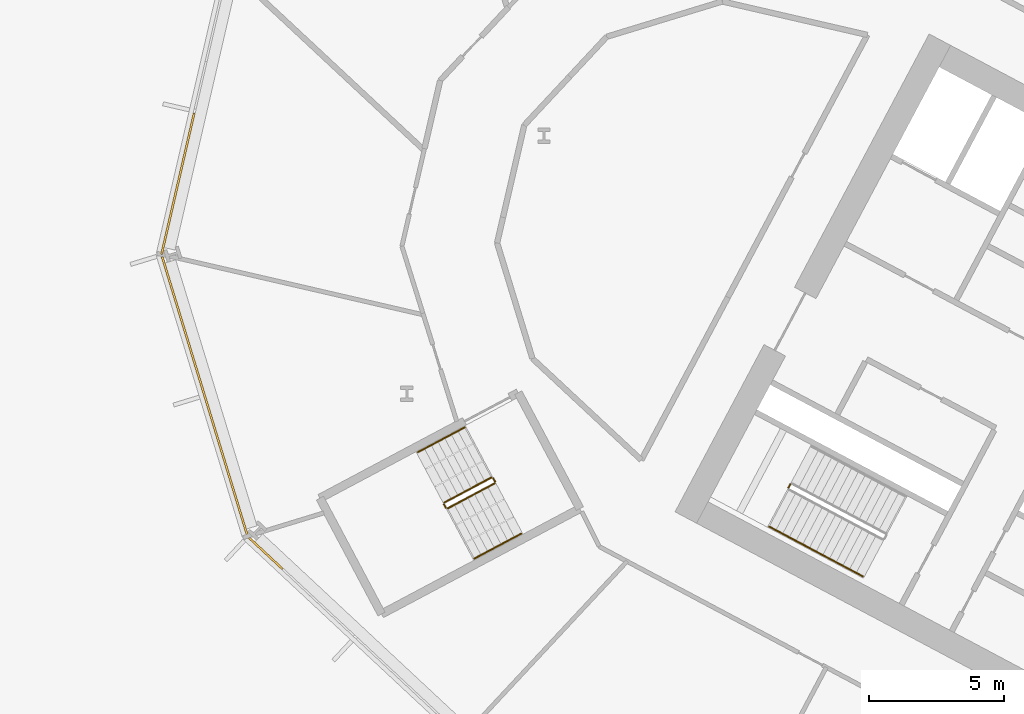
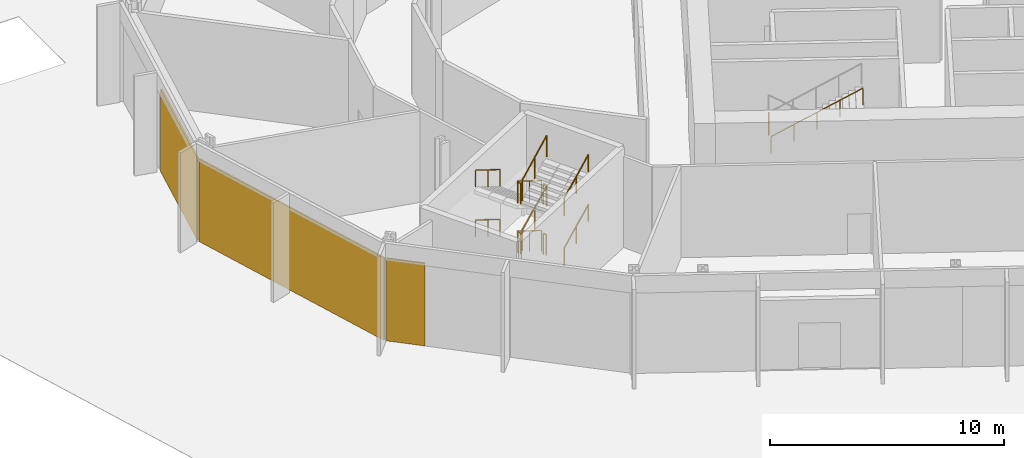
# One storey, part 21 of 30: 14 railings, 3 coverings, 3 elements without a shape of their own.
"""IFC4 building model written with IfcOpenShell, lengths in metres."""

from ifc_helpers import new_model, si_unit, direction, frame, origin, origin_2d, place, context, subcontext, project, spatial, polyline, rectangle, outline, extrude, material, layer, layer_set, type_object, element, aggregate, save


model = new_model("IFC4")

# Units and contexts
model_context = context("Model", 3, precision=1e-05, world=origin(), true_north=direction((0.0, 1.0)))
body_context = subcontext(model_context, "Body", "Model", "MODEL_VIEW")
ifc_project = project(units=[si_unit("LENGTHUNIT", "METRE"), si_unit("AREAUNIT", "SQUARE_METRE"), si_unit("VOLUMEUNIT", "CUBIC_METRE"), si_unit("PLANEANGLEUNIT", "RADIAN"), si_unit("MASSUNIT", "GRAM", prefix="KILO")], contexts=[model_context])

# Site, building, storey
site_placement = place(None, origin())
site = spatial("IfcSite", under=ifc_project, at=site_placement, CompositionType="ELEMENT")
building_placement = place(site_placement, origin())
building = spatial("IfcBuilding", under=site, at=building_placement, Name="Cormorant Relay Tower", CompositionType="ELEMENT")
storey_placement = place(building_placement, frame((0.0, 0.0, 7.0)))
storey = spatial("IfcBuildingStorey", under=building, at=storey_placement, Name="L01", CompositionType="ELEMENT", Elevation=7.0)

# Curtain wall, covering
ifc_material_1 = material(Name="Aluminium 6063-T6 anodised bronze", Category="aluminium")
ifc_layer_1 = layer(ifc_material_1, 0.235107421875)
ifc_layer_set_1 = layer_set([ifc_layer_1], Name="CW6 data hall curtain wall with mineral wool panels")
curtain_wall_type = type_object("IfcCurtainWallType", Name="CW6 data hall curtain wall with mineral wool panels", PredefinedType="NOTDEFINED", material=ifc_layer_set_1)
curtain_wall_1_placement = place(storey_placement, origin())
curtain_wall_1 = element("IfcCurtainWall", 1, at=curtain_wall_1_placement, inside=storey, type_object=curtain_wall_type, Name="CW6 curtain wall 11", PredefinedType="NOTDEFINED")
ifc_material_2 = material(Name="Mineral wool cored anodised bronze aluminium cassette panel", Category="aluminium")
ifc_layer_2 = layer(ifc_material_2, 0.074951171875)
ifc_layer_set_2 = layer_set([ifc_layer_2], Name="CW6 mineral wool cassette panel 75")
covering_type = type_object("IfcCoveringType", Name="CW6 mineral wool cassette panel 75", PredefinedType="CLADDING", material=ifc_layer_set_2)
covering_1_placement = place(storey_placement, frame((-60.153564453125, 23.01318359375, 0.0), z_axis=(0.0, 0.0, 1.0), x_axis=(-0.224951054344, -0.974370064785, 0.0)))
covering_1 = element("IfcCovering", 2, at=covering_1_placement, type_object=covering_type, Name="CW6 panel S02", PredefinedType="CLADDING", context=body_context, shape_type="SweptSolid", body=[
    extrude(rectangle(XDim=5.360107421875, YDim=0.074951171875, at=origin_2d()), origin(), (0.0, 0.0, 1.0), 4.300048828125),
])
aggregate(curtain_wall_1, [covering_1])

curtain_wall_2_placement = place(storey_placement, origin())
curtain_wall_2 = element("IfcCurtainWall", 3, at=curtain_wall_2_placement, inside=storey, type_object=curtain_wall_type, Name="CW6 curtain wall 12", PredefinedType="NOTDEFINED")
covering_2_placement = place(storey_placement, frame((-59.155517578125, 15.148681640625, 0.0), z_axis=(0.0, 0.0, 1.0), x_axis=(0.292371704723, -0.956304755963, 0.0)))
covering_2 = element("IfcCovering", 4, at=covering_2_placement, type_object=covering_type, Name="CW6 panel S00", PredefinedType="CLADDING", context=body_context, shape_type="SweptSolid", body=[
    extrude(rectangle(XDim=10.79541015625, YDim=0.074951171875, at=origin_2d()), origin(), (0.0, 0.0, 1.0), 4.300048828125),
])
aggregate(curtain_wall_2, [covering_2])

curtain_wall_3_placement = place(storey_placement, origin())
curtain_wall_3 = element("IfcCurtainWall", 5, at=curtain_wall_3_placement, inside=storey, type_object=curtain_wall_type, Name="CW6 curtain wall 13", PredefinedType="NOTDEFINED")
covering_3_placement = place(storey_placement, frame((-56.89599609375, 9.3447265625, 0.0), z_axis=(0.0, 0.0, 1.0), x_axis=(0.731353701619, -0.681998360062, 0.0)))
covering_3 = element("IfcCovering", 6, at=covering_3_placement, type_object=covering_type, Name="CW6 panel S00", PredefinedType="CLADDING", context=body_context, shape_type="SweptSolid", body=[
    extrude(rectangle(XDim=1.685302734375, YDim=0.074951171875, at=origin_2d()), origin(), (0.0, 0.0, 1.0), 4.300048828125),
])
aggregate(curtain_wall_3, [covering_3])

# Railings
ifc_material_3 = material(Name="Steel ASTM A572 Grade 50 (Fy 345 MPa)", Category="steel")
railing_type_1 = type_object("IfcRailingType", Name="Stair guard 1100", PredefinedType="GUARDRAIL", material=ifc_material_3)
railing_1_placement = place(storey_placement, frame((-37.52099609375, 11.908935546875, 2.60009765625)))
element("IfcRailing", 7, at=railing_1_placement, inside=storey, type_object=railing_type_1, Name="L01 A2 stair guard 2", PredefinedType="GUARDRAIL", context=body_context, shape_type="SweptSolid", body=[
    extrude(outline(polyline([(0.022216796875, 0.00927734375), (0.00927734375, 0.022216796875), (-0.00927734375, 0.022216796875), (-0.022216796875, 0.00927734375), (-0.022216796875, -0.00927734375), (-0.00927734375, -0.022216796875), (0.00927734375, -0.022216796875), (0.022216796875, -0.00927734375), (0.022216796875, 0.00927734375)])), frame((0.0, 0.0, 1.076171875), z_axis=(-0.469234640946, -0.883073525669, 0.0), x_axis=(0.883073525669, -0.469234640946, 0.0)), (0.0, 0.0, 1.0), 0.14990234375),
    extrude(outline(polyline([(0.019287109375, 0.008056640625), (0.008056640625, 0.019287109375), (-0.008056640625, 0.019287109375), (-0.019287109375, 0.008056640625), (-0.019287109375, -0.008056640625), (-0.008056640625, -0.019287109375), (0.008056640625, -0.019287109375), (0.019287109375, -0.008056640625), (0.019287109375, 0.008056640625)])), origin(), (0.0, 0.0, 1.0), 1.052001953125),
    extrude(outline(polyline([(0.019287109375, 0.008056640625), (0.008056640625, 0.019287109375), (-0.008056640625, 0.019287109375), (-0.019287109375, 0.008056640625), (-0.019287109375, -0.008056640625), (-0.008056640625, -0.019287109375), (0.008056640625, -0.019287109375), (0.019287109375, -0.008056640625), (0.019287109375, 0.008056640625)])), frame((-0.0703125, -0.13232421875, 0.0)), (0.0, 0.0, 1.0), 1.052001953125),
])
railing_2_placement = place(storey_placement, frame((-48.5693359375, 12.155517578125, 0.16259765625)))
element("IfcRailing", 8, at=railing_2_placement, inside=storey, type_object=railing_type_1, Name="L01 RP1 stair guard 1", PredefinedType="GUARDRAIL", context=body_context, shape_type="SweptSolid", body=[
    extrude(outline(polyline([(0.022216796875, 0.00927734375), (0.00927734375, 0.022216796875), (-0.00927734375, 0.022216796875), (-0.022216796875, 0.00927734375), (-0.022216796875, -0.00927734375), (-0.00927734375, -0.022216796875), (0.00927734375, -0.022216796875), (0.022216796875, -0.00927734375), (0.022216796875, 0.00927734375)])), frame((0.0, 0.0, 1.076171875), z_axis=(-0.763691771648, -0.40603107453, 0.501909996348), x_axis=(0.469443581604, -0.882962470149, 0.0)), (0.0, 0.0, 1.0), 2.266357421875),
    extrude(outline(polyline([(0.019287109375, 0.008056640625), (0.008056640625, 0.019287109375), (-0.008056640625, 0.019287109375), (-0.019287109375, 0.008056640625), (-0.019287109375, -0.008056640625), (-0.008056640625, -0.019287109375), (0.008056640625, -0.019287109375), (0.019287109375, -0.008056640625), (0.019287109375, 0.008056640625)])), origin(), (0.0, 0.0, 1.0), 1.052001953125),
    extrude(outline(polyline([(0.019287109375, 0.008056640625), (0.008056640625, 0.019287109375), (-0.008056640625, 0.019287109375), (-0.019287109375, 0.008056640625), (-0.019287109375, -0.008056640625), (-0.008056640625, -0.019287109375), (0.008056640625, -0.019287109375), (0.019287109375, -0.008056640625), (0.019287109375, 0.008056640625)])), frame((-0.865234375, -0.4599609375, 0.56884765625)), (0.0, 0.0, 1.0), 1.052001953125),
    extrude(outline(polyline([(0.019287109375, 0.008056640625), (0.008056640625, 0.019287109375), (-0.008056640625, 0.019287109375), (-0.019287109375, 0.008056640625), (-0.019287109375, -0.008056640625), (-0.008056640625, -0.019287109375), (0.008056640625, -0.019287109375), (0.019287109375, -0.008056640625), (0.019287109375, 0.008056640625)])), frame((-1.730712890625, -0.920166015625, 1.137451171875)), (0.0, 0.0, 1.0), 1.052001953125),
])
railing_3_placement = place(storey_placement, frame((-50.320556640625, 11.167724609375, 1.300048828125)))
element("IfcRailing", 9, at=railing_3_placement, inside=storey, type_object=railing_type_1, Name="L01 RP1 stair guard 2", PredefinedType="GUARDRAIL", context=body_context, shape_type="SweptSolid", body=[
    extrude(outline(polyline([(0.022216796875, 0.00927734375), (0.00927734375, 0.022216796875), (-0.00927734375, 0.022216796875), (-0.022216796875, 0.00927734375), (-0.022216796875, -0.00927734375), (-0.00927734375, -0.022216796875), (0.00927734375, -0.022216796875), (0.022216796875, -0.00927734375), (0.022216796875, 0.00927734375)])), frame((0.0, 0.0, 1.076171875), z_axis=(0.46856034887, -0.8834314911, 0.0), x_axis=(0.8834314911, 0.46856034887, 0.0)), (0.0, 0.0, 1.0), 0.150146484375),
    extrude(outline(polyline([(0.019287109375, 0.008056640625), (0.008056640625, 0.019287109375), (-0.008056640625, 0.019287109375), (-0.019287109375, 0.008056640625), (-0.019287109375, -0.008056640625), (-0.008056640625, -0.019287109375), (0.008056640625, -0.019287109375), (0.019287109375, -0.008056640625), (0.019287109375, 0.008056640625)])), origin(), (0.0, 0.0, 1.0), 1.052001953125),
    extrude(outline(polyline([(0.019287109375, 0.008056640625), (0.008056640625, 0.019287109375), (-0.008056640625, 0.019287109375), (-0.019287109375, 0.008056640625), (-0.019287109375, -0.008056640625), (-0.008056640625, -0.019287109375), (0.008056640625, -0.019287109375), (0.019287109375, -0.008056640625), (0.019287109375, 0.008056640625)])), frame((0.0703125, -0.132568359375, 0.0)), (0.0, 0.0, 1.0), 1.052001953125),
])
railing_4_placement = place(storey_placement, frame((-50.1826171875, 11.014404296875, 1.46240234375)))
element("IfcRailing", 10, at=railing_4_placement, inside=storey, type_object=railing_type_1, Name="L01 RP1 stair guard 3", PredefinedType="GUARDRAIL", context=body_context, shape_type="SweptSolid", body=[
    extrude(outline(polyline([(0.022216796875, 0.00927734375), (0.00927734375, 0.022216796875), (-0.00927734375, 0.022216796875), (-0.022216796875, 0.00927734375), (-0.022216796875, -0.00927734375), (-0.00927734375, -0.022216796875), (0.00927734375, -0.022216796875), (0.022216796875, -0.00927734375), (0.022216796875, 0.00927734375)])), frame((0.0, 0.0, 1.076171875), z_axis=(0.763650477504, 0.406009119722, 0.5019905805), x_axis=(-0.469443581604, 0.882962470149, 0.0)), (0.0, 0.0, 1.0), 2.266357421875),
    extrude(outline(polyline([(0.019287109375, 0.008056640625), (0.008056640625, 0.019287109375), (-0.008056640625, 0.019287109375), (-0.019287109375, 0.008056640625), (-0.019287109375, -0.008056640625), (-0.008056640625, -0.019287109375), (0.008056640625, -0.019287109375), (0.019287109375, -0.008056640625), (0.019287109375, 0.008056640625)])), origin(), (0.0, 0.0, 1.0), 1.052001953125),
    extrude(outline(polyline([(0.019287109375, 0.008056640625), (0.008056640625, 0.019287109375), (-0.008056640625, 0.019287109375), (-0.019287109375, 0.008056640625), (-0.019287109375, -0.008056640625), (-0.008056640625, -0.019287109375), (0.008056640625, -0.019287109375), (0.019287109375, -0.008056640625), (0.019287109375, 0.008056640625)])), frame((0.865234375, 0.4599609375, 0.56884765625)), (0.0, 0.0, 1.0), 1.052001953125),
    extrude(outline(polyline([(0.019287109375, 0.008056640625), (0.008056640625, 0.019287109375), (-0.008056640625, 0.019287109375), (-0.019287109375, 0.008056640625), (-0.019287109375, -0.008056640625), (-0.008056640625, -0.019287109375), (0.008056640625, -0.019287109375), (0.019287109375, -0.008056640625), (0.019287109375, 0.008056640625)])), frame((1.730712890625, 0.920166015625, 1.1376953125)), (0.0, 0.0, 1.0), 1.052001953125),
])
railing_5_placement = place(storey_placement, frame((-48.501708984375, 12.134765625, 2.60009765625)))
element("IfcRailing", 11, at=railing_5_placement, inside=storey, type_object=railing_type_1, Name="L01 RP1 stair guard 4", PredefinedType="GUARDRAIL", context=body_context, shape_type="SweptSolid", body=[
    extrude(outline(polyline([(0.022216796875, 0.00927734375), (0.00927734375, 0.022216796875), (-0.00927734375, 0.022216796875), (-0.022216796875, 0.00927734375), (-0.022216796875, -0.00927734375), (-0.00927734375, -0.022216796875), (0.00927734375, -0.022216796875), (0.022216796875, -0.00927734375), (0.022216796875, 0.00927734375)])), frame((0.0, 0.0, 1.076171875), z_axis=(0.46856034887, -0.8834314911, 0.0), x_axis=(0.8834314911, 0.46856034887, 0.0)), (0.0, 0.0, 1.0), 0.150146484375),
    extrude(outline(polyline([(0.019287109375, 0.008056640625), (0.008056640625, 0.019287109375), (-0.008056640625, 0.019287109375), (-0.019287109375, 0.008056640625), (-0.019287109375, -0.008056640625), (-0.008056640625, -0.019287109375), (0.008056640625, -0.019287109375), (0.019287109375, -0.008056640625), (0.019287109375, 0.008056640625)])), origin(), (0.0, 0.0, 1.0), 1.052001953125),
    extrude(outline(polyline([(0.019287109375, 0.008056640625), (0.008056640625, 0.019287109375), (-0.008056640625, 0.019287109375), (-0.019287109375, 0.008056640625), (-0.019287109375, -0.008056640625), (-0.008056640625, -0.019287109375), (0.008056640625, -0.019287109375), (0.019287109375, -0.008056640625), (0.019287109375, 0.008056640625)])), frame((0.0703125, -0.132568359375, 0.0)), (0.0, 0.0, 1.0), 1.052001953125),
])
railing_6_placement = place(storey_placement, frame((-48.5693359375, 12.155517578125, 2.762451171875)))
element("IfcRailing", 12, at=railing_6_placement, inside=storey, type_object=railing_type_1, Name="L01 RP1 stair guard 5", PredefinedType="GUARDRAIL", context=body_context, shape_type="SweptSolid", body=[
    extrude(outline(polyline([(0.022216796875, 0.00927734375), (0.00927734375, 0.022216796875), (-0.00927734375, 0.022216796875), (-0.022216796875, 0.00927734375), (-0.022216796875, -0.00927734375), (-0.00927734375, -0.022216796875), (0.00927734375, -0.022216796875), (0.022216796875, -0.00927734375), (0.022216796875, 0.00927734375)])), frame((0.0, 0.0, 1.076171875), z_axis=(-0.763691771648, -0.40603107453, 0.501909996348), x_axis=(0.469443581604, -0.882962470149, 0.0)), (0.0, 0.0, 1.0), 2.266357421875),
    extrude(outline(polyline([(0.019287109375, 0.008056640625), (0.008056640625, 0.019287109375), (-0.008056640625, 0.019287109375), (-0.019287109375, 0.008056640625), (-0.019287109375, -0.008056640625), (-0.008056640625, -0.019287109375), (0.008056640625, -0.019287109375), (0.019287109375, -0.008056640625), (0.019287109375, 0.008056640625)])), origin(), (0.0, 0.0, 1.0), 1.052001953125),
    extrude(outline(polyline([(0.019287109375, 0.008056640625), (0.008056640625, 0.019287109375), (-0.008056640625, 0.019287109375), (-0.019287109375, 0.008056640625), (-0.019287109375, -0.008056640625), (-0.008056640625, -0.019287109375), (0.008056640625, -0.019287109375), (0.019287109375, -0.008056640625), (0.019287109375, 0.008056640625)])), frame((-0.865234375, -0.4599609375, 0.56884765625)), (0.0, 0.0, 1.0), 1.052001953125),
    extrude(outline(polyline([(0.019287109375, 0.008056640625), (0.008056640625, 0.019287109375), (-0.008056640625, 0.019287109375), (-0.019287109375, 0.008056640625), (-0.019287109375, -0.008056640625), (-0.008056640625, -0.019287109375), (0.008056640625, -0.019287109375), (0.019287109375, -0.008056640625), (0.019287109375, 0.008056640625)])), frame((-1.730712890625, -0.920166015625, 1.137451171875)), (0.0, 0.0, 1.0), 1.052001953125),
])
railing_7_placement = place(storey_placement, frame((-50.320556640625, 11.167724609375, 3.89990234375)))
element("IfcRailing", 13, at=railing_7_placement, inside=storey, type_object=railing_type_1, Name="L01 RP1 stair guard 6", PredefinedType="GUARDRAIL", context=body_context, shape_type="SweptSolid", body=[
    extrude(outline(polyline([(0.022216796875, 0.00927734375), (0.00927734375, 0.022216796875), (-0.00927734375, 0.022216796875), (-0.022216796875, 0.00927734375), (-0.022216796875, -0.00927734375), (-0.00927734375, -0.022216796875), (0.00927734375, -0.022216796875), (0.022216796875, -0.00927734375), (0.022216796875, 0.00927734375)])), frame((0.0, 0.0, 1.076171875), z_axis=(0.46856034887, -0.8834314911, 0.0), x_axis=(0.8834314911, 0.46856034887, 0.0)), (0.0, 0.0, 1.0), 0.150146484375),
    extrude(outline(polyline([(0.019287109375, 0.008056640625), (0.008056640625, 0.019287109375), (-0.008056640625, 0.019287109375), (-0.019287109375, 0.008056640625), (-0.019287109375, -0.008056640625), (-0.008056640625, -0.019287109375), (0.008056640625, -0.019287109375), (0.019287109375, -0.008056640625), (0.019287109375, 0.008056640625)])), origin(), (0.0, 0.0, 1.0), 1.052001953125),
    extrude(outline(polyline([(0.019287109375, 0.008056640625), (0.008056640625, 0.019287109375), (-0.008056640625, 0.019287109375), (-0.019287109375, 0.008056640625), (-0.019287109375, -0.008056640625), (-0.008056640625, -0.019287109375), (0.008056640625, -0.019287109375), (0.019287109375, -0.008056640625), (0.019287109375, 0.008056640625)])), frame((0.0703125, -0.132568359375, 0.0)), (0.0, 0.0, 1.0), 1.052001953125),
])
railing_8_placement = place(storey_placement, frame((-50.1826171875, 11.014404296875, 4.0625)))
element("IfcRailing", 14, at=railing_8_placement, inside=storey, type_object=railing_type_1, Name="L01 RP1 stair guard 7", PredefinedType="GUARDRAIL", context=body_context, shape_type="SweptSolid", body=[
    extrude(outline(polyline([(0.022216796875, 0.00927734375), (0.00927734375, 0.022216796875), (-0.00927734375, 0.022216796875), (-0.022216796875, 0.00927734375), (-0.022216796875, -0.00927734375), (-0.00927734375, -0.022216796875), (0.00927734375, -0.022216796875), (0.022216796875, -0.00927734375), (0.022216796875, 0.00927734375)])), frame((0.0, 0.0, 1.076171875), z_axis=(0.763691771648, 0.40603107453, 0.501909996348), x_axis=(-0.469443581604, 0.882962470149, 0.0)), (0.0, 0.0, 1.0), 2.266357421875),
    extrude(outline(polyline([(0.019287109375, 0.008056640625), (0.008056640625, 0.019287109375), (-0.008056640625, 0.019287109375), (-0.019287109375, 0.008056640625), (-0.019287109375, -0.008056640625), (-0.008056640625, -0.019287109375), (0.008056640625, -0.019287109375), (0.019287109375, -0.008056640625), (0.019287109375, 0.008056640625)])), origin(), (0.0, 0.0, 1.0), 1.052001953125),
    extrude(outline(polyline([(0.019287109375, 0.008056640625), (0.008056640625, 0.019287109375), (-0.008056640625, 0.019287109375), (-0.019287109375, 0.008056640625), (-0.019287109375, -0.008056640625), (-0.008056640625, -0.019287109375), (0.008056640625, -0.019287109375), (0.019287109375, -0.008056640625), (0.019287109375, 0.008056640625)])), frame((0.865234375, 0.4599609375, 0.56884765625)), (0.0, 0.0, 1.0), 1.052001953125),
    extrude(outline(polyline([(0.019287109375, 0.008056640625), (0.008056640625, 0.019287109375), (-0.008056640625, 0.019287109375), (-0.019287109375, 0.008056640625), (-0.019287109375, -0.008056640625), (-0.008056640625, -0.019287109375), (0.008056640625, -0.019287109375), (0.019287109375, -0.008056640625), (0.019287109375, 0.008056640625)])), frame((1.730712890625, 0.920166015625, 1.137451171875)), (0.0, 0.0, 1.0), 1.052001953125),
])
railing_9_placement = place(storey_placement, frame((-48.501708984375, 12.134765625, 0.0)))
element("IfcRailing", 15, at=railing_9_placement, inside=storey, type_object=railing_type_1, Name="L01 RP1 stair guard 8", PredefinedType="GUARDRAIL", context=body_context, shape_type="SweptSolid", body=[
    extrude(outline(polyline([(0.022216796875, 0.00927734375), (0.00927734375, 0.022216796875), (-0.00927734375, 0.022216796875), (-0.022216796875, 0.00927734375), (-0.022216796875, -0.00927734375), (-0.00927734375, -0.022216796875), (0.00927734375, -0.022216796875), (0.022216796875, -0.00927734375), (0.022216796875, 0.00927734375)])), frame((0.0, 0.0, 1.076171875), z_axis=(0.46856034887, -0.8834314911, 0.0), x_axis=(0.8834314911, 0.46856034887, 0.0)), (0.0, 0.0, 1.0), 0.150146484375),
    extrude(outline(polyline([(0.019287109375, 0.008056640625), (0.008056640625, 0.019287109375), (-0.008056640625, 0.019287109375), (-0.019287109375, 0.008056640625), (-0.019287109375, -0.008056640625), (-0.008056640625, -0.019287109375), (0.008056640625, -0.019287109375), (0.019287109375, -0.008056640625), (0.019287109375, 0.008056640625)])), origin(), (0.0, 0.0, 1.0), 1.052001953125),
    extrude(outline(polyline([(0.019287109375, 0.008056640625), (0.008056640625, 0.019287109375), (-0.008056640625, 0.019287109375), (-0.019287109375, 0.008056640625), (-0.019287109375, -0.008056640625), (-0.008056640625, -0.019287109375), (0.008056640625, -0.019287109375), (0.019287109375, -0.008056640625), (0.019287109375, 0.008056640625)])), frame((0.0703125, -0.132568359375, 0.0)), (0.0, 0.0, 1.0), 1.052001953125),
])
ifc_material_4 = material(Name="Steel ASTM A572 Grade 50 (Fy 345 MPa)", Category="steel")
railing_type_2 = type_object("IfcRailingType", Name="Stair handrail 900", PredefinedType="HANDRAIL", material=ifc_material_4)
railing_10_placement = place(storey_placement, frame((-38.29833984375, 10.34033203125, 2.7734375)))
element("IfcRailing", 16, at=railing_10_placement, inside=storey, type_object=railing_type_2, Name="L01 A2 stair handrail 2", PredefinedType="HANDRAIL", context=body_context, shape_type="SweptSolid", body=[
    extrude(outline(polyline([(0.022216796875, 0.00927734375), (0.00927734375, 0.022216796875), (-0.00927734375, 0.022216796875), (-0.022216796875, 0.00927734375), (-0.022216796875, -0.00927734375), (-0.00927734375, -0.022216796875), (0.00927734375, -0.022216796875), (0.022216796875, -0.00927734375), (0.022216796875, 0.00927734375)])), frame((0.0, 0.0, 0.8759765625), z_axis=(0.75075501281, -0.399181158677, 0.526328142225), x_axis=(0.469469396681, 0.882948744594, 0.0)), (0.0, 0.0, 1.0), 4.6103515625),
    extrude(outline(polyline([(0.019287109375, 0.008056640625), (0.008056640625, 0.019287109375), (-0.008056640625, 0.019287109375), (-0.019287109375, 0.008056640625), (-0.019287109375, -0.008056640625), (-0.008056640625, -0.019287109375), (0.008056640625, -0.019287109375), (0.019287109375, -0.008056640625), (0.019287109375, 0.008056640625)])), origin(), (0.0, 0.0, 1.0), 0.851806640625),
    extrude(outline(polyline([(0.019287109375, 0.008056640625), (0.008056640625, 0.019287109375), (-0.008056640625, 0.019287109375), (-0.019287109375, 0.008056640625), (-0.019287109375, -0.008056640625), (-0.008056640625, -0.019287109375), (0.008056640625, -0.019287109375), (0.019287109375, -0.008056640625), (0.019287109375, 0.008056640625)])), frame((0.865234375, -0.4599609375, 0.606689453125)), (0.0, 0.0, 1.0), 0.851806640625),
    extrude(outline(polyline([(0.019287109375, 0.008056640625), (0.008056640625, 0.019287109375), (-0.008056640625, 0.019287109375), (-0.019287109375, 0.008056640625), (-0.019287109375, -0.008056640625), (-0.008056640625, -0.019287109375), (0.008056640625, -0.019287109375), (0.019287109375, -0.008056640625), (0.019287109375, 0.008056640625)])), frame((1.73046875, -0.920166015625, 1.21337890625)), (0.0, 0.0, 1.0), 0.851806640625),
    extrude(outline(polyline([(0.019287109375, 0.008056640625), (0.008056640625, 0.019287109375), (-0.008056640625, 0.019287109375), (-0.019287109375, 0.008056640625), (-0.019287109375, -0.008056640625), (-0.008056640625, -0.019287109375), (0.008056640625, -0.019287109375), (0.019287109375, -0.008056640625), (0.019287109375, 0.008056640625)])), frame((2.595947265625, -1.38037109375, 1.81982421875)), (0.0, 0.0, 1.0), 0.851806640625),
    extrude(outline(polyline([(0.019287109375, 0.008056640625), (0.008056640625, 0.019287109375), (-0.008056640625, 0.019287109375), (-0.019287109375, 0.008056640625), (-0.019287109375, -0.008056640625), (-0.008056640625, -0.019287109375), (0.008056640625, -0.019287109375), (0.019287109375, -0.008056640625), (0.019287109375, 0.008056640625)])), frame((3.461181640625, -1.84033203125, 2.426513671875)), (0.0, 0.0, 1.0), 0.851806640625),
])
railing_11_placement = place(storey_placement, frame((-49.55517578125, 14.009521484375, 0.16259765625)))
element("IfcRailing", 17, at=railing_11_placement, inside=storey, type_object=railing_type_2, Name="L01 RP1 stair handrail 1", PredefinedType="HANDRAIL", context=body_context, shape_type="SweptSolid", body=[
    extrude(outline(polyline([(0.022216796875, 0.00927734375), (0.00927734375, 0.022216796875), (-0.00927734375, 0.022216796875), (-0.022216796875, 0.00927734375), (-0.022216796875, -0.00927734375), (-0.00927734375, -0.022216796875), (0.00927734375, -0.022216796875), (0.022216796875, -0.00927734375), (0.022216796875, 0.00927734375)])), frame((0.0, 0.0, 0.8759765625), z_axis=(-0.763691771648, -0.40603107453, 0.501909996348), x_axis=(0.469443581604, -0.882962470149, 0.0)), (0.0, 0.0, 1.0), 2.266357421875),
    extrude(outline(polyline([(0.019287109375, 0.008056640625), (0.008056640625, 0.019287109375), (-0.008056640625, 0.019287109375), (-0.019287109375, 0.008056640625), (-0.019287109375, -0.008056640625), (-0.008056640625, -0.019287109375), (0.008056640625, -0.019287109375), (0.019287109375, -0.008056640625), (0.019287109375, 0.008056640625)])), origin(), (0.0, 0.0, 1.0), 0.851806640625),
    extrude(outline(polyline([(0.019287109375, 0.008056640625), (0.008056640625, 0.019287109375), (-0.008056640625, 0.019287109375), (-0.019287109375, 0.008056640625), (-0.019287109375, -0.008056640625), (-0.008056640625, -0.019287109375), (0.008056640625, -0.019287109375), (0.019287109375, -0.008056640625), (0.019287109375, 0.008056640625)])), frame((-0.865234375, -0.4599609375, 0.56884765625)), (0.0, 0.0, 1.0), 0.851806640625),
    extrude(outline(polyline([(0.019287109375, 0.008056640625), (0.008056640625, 0.019287109375), (-0.008056640625, 0.019287109375), (-0.019287109375, 0.008056640625), (-0.019287109375, -0.008056640625), (-0.008056640625, -0.019287109375), (0.008056640625, -0.019287109375), (0.019287109375, -0.008056640625), (0.019287109375, 0.008056640625)])), frame((-1.730712890625, -0.920166015625, 1.137451171875)), (0.0, 0.0, 1.0), 0.851806640625),
])
railing_12_placement = place(storey_placement, frame((-49.19677734375, 9.160400390625, 1.46240234375)))
element("IfcRailing", 18, at=railing_12_placement, inside=storey, type_object=railing_type_2, Name="L01 RP1 stair handrail 2", PredefinedType="HANDRAIL", context=body_context, shape_type="SweptSolid", body=[
    extrude(outline(polyline([(0.022216796875, 0.00927734375), (0.00927734375, 0.022216796875), (-0.00927734375, 0.022216796875), (-0.022216796875, 0.00927734375), (-0.022216796875, -0.00927734375), (-0.00927734375, -0.022216796875), (0.00927734375, -0.022216796875), (0.022216796875, -0.00927734375), (0.022216796875, 0.00927734375)])), frame((0.0, 0.0, 0.8759765625), z_axis=(0.763650477504, 0.406009119722, 0.5019905805), x_axis=(-0.469443581604, 0.882962470149, 0.0)), (0.0, 0.0, 1.0), 2.266357421875),
    extrude(outline(polyline([(0.019287109375, 0.008056640625), (0.008056640625, 0.019287109375), (-0.008056640625, 0.019287109375), (-0.019287109375, 0.008056640625), (-0.019287109375, -0.008056640625), (-0.008056640625, -0.019287109375), (0.008056640625, -0.019287109375), (0.019287109375, -0.008056640625), (0.019287109375, 0.008056640625)])), origin(), (0.0, 0.0, 1.0), 0.851806640625),
    extrude(outline(polyline([(0.019287109375, 0.008056640625), (0.008056640625, 0.019287109375), (-0.008056640625, 0.019287109375), (-0.019287109375, 0.008056640625), (-0.019287109375, -0.008056640625), (-0.008056640625, -0.019287109375), (0.008056640625, -0.019287109375), (0.019287109375, -0.008056640625), (0.019287109375, 0.008056640625)])), frame((0.865234375, 0.4599609375, 0.56884765625)), (0.0, 0.0, 1.0), 0.851806640625),
    extrude(outline(polyline([(0.019287109375, 0.008056640625), (0.008056640625, 0.019287109375), (-0.008056640625, 0.019287109375), (-0.019287109375, 0.008056640625), (-0.019287109375, -0.008056640625), (-0.008056640625, -0.019287109375), (0.008056640625, -0.019287109375), (0.019287109375, -0.008056640625), (0.019287109375, 0.008056640625)])), frame((1.730712890625, 0.920166015625, 1.1376953125)), (0.0, 0.0, 1.0), 0.851806640625),
])
railing_13_placement = place(storey_placement, frame((-49.55517578125, 14.009521484375, 2.762451171875)))
element("IfcRailing", 19, at=railing_13_placement, inside=storey, type_object=railing_type_2, Name="L01 RP1 stair handrail 3", PredefinedType="HANDRAIL", context=body_context, shape_type="SweptSolid", body=[
    extrude(outline(polyline([(0.022216796875, 0.00927734375), (0.00927734375, 0.022216796875), (-0.00927734375, 0.022216796875), (-0.022216796875, 0.00927734375), (-0.022216796875, -0.00927734375), (-0.00927734375, -0.022216796875), (0.00927734375, -0.022216796875), (0.022216796875, -0.00927734375), (0.022216796875, 0.00927734375)])), frame((0.0, 0.0, 0.8759765625), z_axis=(-0.763691771648, -0.40603107453, 0.501909996348), x_axis=(0.469443581604, -0.882962470149, 0.0)), (0.0, 0.0, 1.0), 2.266357421875),
    extrude(outline(polyline([(0.019287109375, 0.008056640625), (0.008056640625, 0.019287109375), (-0.008056640625, 0.019287109375), (-0.019287109375, 0.008056640625), (-0.019287109375, -0.008056640625), (-0.008056640625, -0.019287109375), (0.008056640625, -0.019287109375), (0.019287109375, -0.008056640625), (0.019287109375, 0.008056640625)])), origin(), (0.0, 0.0, 1.0), 0.851806640625),
    extrude(outline(polyline([(0.019287109375, 0.008056640625), (0.008056640625, 0.019287109375), (-0.008056640625, 0.019287109375), (-0.019287109375, 0.008056640625), (-0.019287109375, -0.008056640625), (-0.008056640625, -0.019287109375), (0.008056640625, -0.019287109375), (0.019287109375, -0.008056640625), (0.019287109375, 0.008056640625)])), frame((-0.865234375, -0.4599609375, 0.56884765625)), (0.0, 0.0, 1.0), 0.851806640625),
    extrude(outline(polyline([(0.019287109375, 0.008056640625), (0.008056640625, 0.019287109375), (-0.008056640625, 0.019287109375), (-0.019287109375, 0.008056640625), (-0.019287109375, -0.008056640625), (-0.008056640625, -0.019287109375), (0.008056640625, -0.019287109375), (0.019287109375, -0.008056640625), (0.019287109375, 0.008056640625)])), frame((-1.730712890625, -0.920166015625, 1.137451171875)), (0.0, 0.0, 1.0), 0.851806640625),
])
railing_14_placement = place(storey_placement, frame((-49.19677734375, 9.160400390625, 4.0625)))
element("IfcRailing", 20, at=railing_14_placement, inside=storey, type_object=railing_type_2, Name="L01 RP1 stair handrail 4", PredefinedType="HANDRAIL", context=body_context, shape_type="SweptSolid", body=[
    extrude(outline(polyline([(0.022216796875, 0.00927734375), (0.00927734375, 0.022216796875), (-0.00927734375, 0.022216796875), (-0.022216796875, 0.00927734375), (-0.022216796875, -0.00927734375), (-0.00927734375, -0.022216796875), (0.00927734375, -0.022216796875), (0.022216796875, -0.00927734375), (0.022216796875, 0.00927734375)])), frame((0.0, 0.0, 0.8759765625), z_axis=(0.763691771648, 0.40603107453, 0.501909996348), x_axis=(-0.469443581604, 0.882962470149, 0.0)), (0.0, 0.0, 1.0), 2.266357421875),
    extrude(outline(polyline([(0.019287109375, 0.008056640625), (0.008056640625, 0.019287109375), (-0.008056640625, 0.019287109375), (-0.019287109375, 0.008056640625), (-0.019287109375, -0.008056640625), (-0.008056640625, -0.019287109375), (0.008056640625, -0.019287109375), (0.019287109375, -0.008056640625), (0.019287109375, 0.008056640625)])), origin(), (0.0, 0.0, 1.0), 0.851806640625),
    extrude(outline(polyline([(0.019287109375, 0.008056640625), (0.008056640625, 0.019287109375), (-0.008056640625, 0.019287109375), (-0.019287109375, 0.008056640625), (-0.019287109375, -0.008056640625), (-0.008056640625, -0.019287109375), (0.008056640625, -0.019287109375), (0.019287109375, -0.008056640625), (0.019287109375, 0.008056640625)])), frame((0.865234375, 0.4599609375, 0.56884765625)), (0.0, 0.0, 1.0), 0.851806640625),
    extrude(outline(polyline([(0.019287109375, 0.008056640625), (0.008056640625, 0.019287109375), (-0.008056640625, 0.019287109375), (-0.019287109375, 0.008056640625), (-0.019287109375, -0.008056640625), (-0.008056640625, -0.019287109375), (0.008056640625, -0.019287109375), (0.019287109375, -0.008056640625), (0.019287109375, 0.008056640625)])), frame((1.730712890625, 0.920166015625, 1.137451171875)), (0.0, 0.0, 1.0), 0.851806640625),
])

save(model, "model.ifc")
